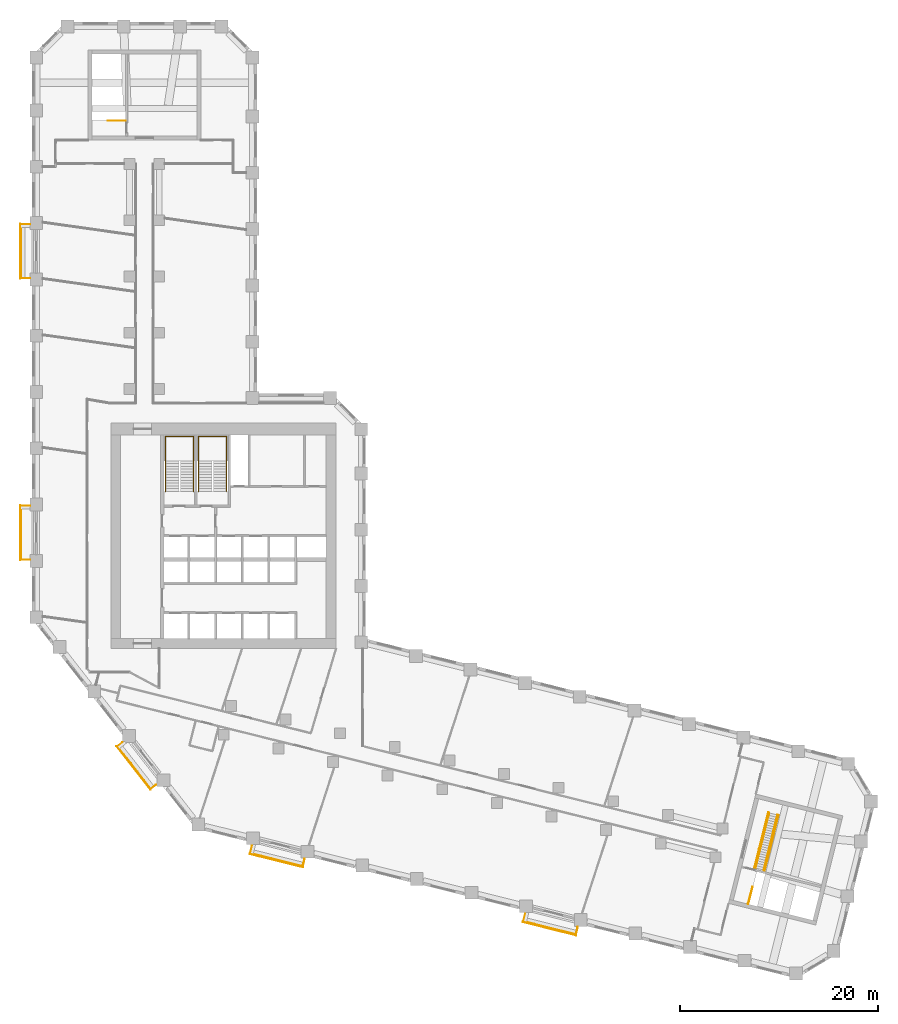
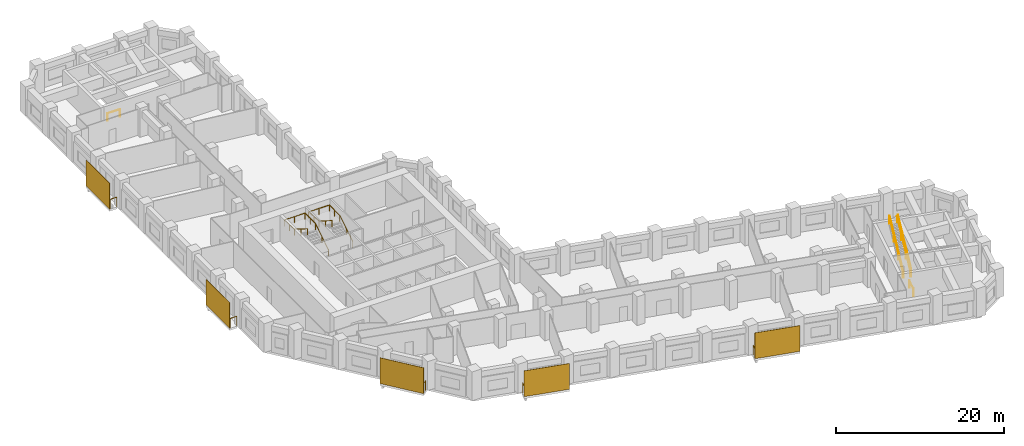
# One storey, part 11 of 11: 13 railings, 5 shading devices.
"""IFC4 building model written with IfcOpenShell, lengths in metres."""

from ifc_helpers import new_model, si_unit, direction, frame, origin, origin_2d, place, context, subcontext, project, spatial, rectangle, circle, extrude, material, layer, layer_set, type_object, element, save


model = new_model("IFC4")

# Units and contexts
model_context = context("Model", 3, precision=1e-05, world=origin(), true_north=direction((0.0, 1.0)))
body_context = subcontext(model_context, "Body", "Model", "MODEL_VIEW")
ifc_project = project(units=[si_unit("LENGTHUNIT", "METRE"), si_unit("AREAUNIT", "SQUARE_METRE"), si_unit("VOLUMEUNIT", "CUBIC_METRE"), si_unit("PLANEANGLEUNIT", "RADIAN"), si_unit("MASSUNIT", "GRAM", prefix="KILO")], contexts=[model_context])

# Site, building, storey
site_placement = place(None, origin())
site = spatial("IfcSite", under=ifc_project, at=site_placement, CompositionType="ELEMENT")
building_placement = place(site_placement, origin())
building = spatial("IfcBuilding", under=site, at=building_placement, Name="Meshkara Civic Tower", CompositionType="ELEMENT")
storey_placement = place(building_placement, frame((0.0, 0.0, 151.800048828125)))
storey = spatial("IfcBuildingStorey", under=building, at=storey_placement, Name="L34", CompositionType="ELEMENT", Elevation=151.800048828125)

# Railings
ifc_material_1 = material(Name="Steel S355", Category="steel")
railing_type_1 = type_object("IfcRailingType", Name="BALUSTRADE GUARD 1400", PredefinedType="BALUSTRADE", material=ifc_material_1)
for number, where, name in (
    (1, (-0.199951171875, 57.034912109375, 0.0), "Balcony guard"),
    (2, (-0.199951171875, 28.534912109375, 0.0), "Balcony guard"),
):
    element("IfcRailing", number, at=place(storey_placement, frame(where)), inside=storey, type_object=railing_type_1, Name=name, PredefinedType="BALUSTRADE", context=body_context, shape_type="SweptSolid", body=[
        extrude(circle(Radius=0.02392578125, at=origin_2d()), frame((0.0, 0.0, 1.3759765625), z_axis=(-1.0, 0.0, 0.0), x_axis=(0.0, -1.0, 0.0)), (0.0, 0.0, 1.0), 0.91015625),
        extrude(circle(Radius=0.02392578125, at=origin_2d()), frame((-0.91015625, 0.0, 1.3759765625), z_axis=(0.0, -1.0, 0.0), x_axis=(1.0, 0.0, 0.0)), (0.0, 0.0, 1.0), 5.4599609375),
        extrude(circle(Radius=0.02392578125, at=origin_2d()), frame((-0.91015625, -5.4599609375, 1.3759765625), z_axis=(1.0, 0.0, 0.0), x_axis=(0.0, 1.0, 0.0)), (0.0, 0.0, 1.0), 0.91015625),
        extrude(circle(Radius=0.02099609375, at=origin_2d()), origin(), (0.0, 0.0, 1.0), 1.351806640625),
        extrude(circle(Radius=0.02099609375, at=origin_2d()), frame((-0.91015625, 0.0, 0.0)), (0.0, 0.0, 1.0), 1.351806640625),
        extrude(circle(Radius=0.02099609375, at=origin_2d()), frame((-0.91015625, -1.092041015625, 0.0)), (0.0, 0.0, 1.0), 1.351806640625),
        extrude(circle(Radius=0.02099609375, at=origin_2d()), frame((-0.91015625, -2.18408203125, 0.0)), (0.0, 0.0, 1.0), 1.351806640625),
        extrude(circle(Radius=0.02099609375, at=origin_2d()), frame((-0.91015625, -3.27587890625, 0.0)), (0.0, 0.0, 1.0), 1.351806640625),
        extrude(circle(Radius=0.02099609375, at=origin_2d()), frame((-0.91015625, -4.367919921875, 0.0)), (0.0, 0.0, 1.0), 1.351806640625),
        extrude(circle(Radius=0.02099609375, at=origin_2d()), frame((-0.91015625, -5.4599609375, 0.0)), (0.0, 0.0, 1.0), 1.351806640625),
        extrude(circle(Radius=0.02099609375, at=origin_2d()), frame((0.0, -5.4599609375, 0.0)), (0.0, 0.0, 1.0), 1.351806640625),
    ])
railing_1_placement = place(storey_placement, frame((9.18798828125, 4.589111328125, 0.0)))
element("IfcRailing", 3, at=railing_1_placement, inside=storey, type_object=railing_type_1, Name="Balcony guard", PredefinedType="BALUSTRADE", context=body_context, shape_type="SweptSolid", body=[
    extrude(circle(Radius=0.02392578125, at=origin_2d()), frame((0.0, 0.0, 1.3759765625), z_axis=(-0.787481136241, -0.61633875431, 0.0), x_axis=(0.61633875431, -0.787481136241, 0.0)), (0.0, 0.0, 1.0), 0.647705078125),
    extrude(circle(Radius=0.02392578125, at=origin_2d()), frame((-0.510009765625, -0.399169921875, 1.3759765625), z_axis=(0.615660530481, -0.788011491799, 0.0), x_axis=(0.788011491799, 0.615660530481, 0.0)), (0.0, 0.0, 1.0), 5.459228515625),
    extrude(circle(Radius=0.02392578125, at=origin_2d()), frame((2.85107421875, -4.701171875, 1.3759765625), z_axis=(0.787481136241, 0.61633875431, 0.0), x_axis=(-0.61633875431, 0.787481136241, 0.0)), (0.0, 0.0, 1.0), 0.647705078125),
    extrude(circle(Radius=0.02099609375, at=origin_2d()), origin(), (0.0, 0.0, 1.0), 1.351806640625),
    extrude(circle(Radius=0.02099609375, at=origin_2d()), frame((-0.510009765625, -0.399169921875, 0.0)), (0.0, 0.0, 1.0), 1.351806640625),
    extrude(circle(Radius=0.02099609375, at=origin_2d()), frame((0.162109375, -1.259521484375, 0.0)), (0.0, 0.0, 1.0), 1.351806640625),
    extrude(circle(Radius=0.02099609375, at=origin_2d()), frame((0.83447265625, -2.119873046875, 0.0)), (0.0, 0.0, 1.0), 1.351806640625),
    extrude(circle(Radius=0.02099609375, at=origin_2d()), frame((1.506591796875, -2.98046875, 0.0)), (0.0, 0.0, 1.0), 1.351806640625),
    extrude(circle(Radius=0.02099609375, at=origin_2d()), frame((2.178955078125, -3.8408203125, 0.0)), (0.0, 0.0, 1.0), 1.351806640625),
    extrude(circle(Radius=0.02099609375, at=origin_2d()), frame((2.85107421875, -4.701171875, 0.0)), (0.0, 0.0, 1.0), 1.351806640625),
    extrude(circle(Radius=0.02099609375, at=origin_2d()), frame((3.361083984375, -4.302001953125, 0.0)), (0.0, 0.0, 1.0), 1.351806640625),
])
railing_2_placement = place(storey_placement, frame((22.30810546875, -5.909912109375, 0.0)))
element("IfcRailing", 4, at=railing_2_placement, inside=storey, type_object=railing_type_1, Name="Balcony guard", PredefinedType="BALUSTRADE", context=body_context, shape_type="SweptSolid", body=[
    extrude(circle(Radius=0.02392578125, at=origin_2d()), frame((0.0, 0.0, 1.3759765625), z_axis=(-0.242237978263, -0.970216863329, 0.0), x_axis=(0.970216863329, -0.242237978263, 0.0)), (0.0, 0.0, 1.0), 0.77197265625),
    extrude(circle(Radius=0.02392578125, at=origin_2d()), frame((-0.18701171875, -0.7490234375, 1.3759765625), z_axis=(0.970279141219, -0.24198840492, 0.0), x_axis=(0.24198840492, 0.970279141219, 0.0)), (0.0, 0.0, 1.0), 5.459228515625),
    extrude(circle(Radius=0.02392578125, at=origin_2d()), frame((5.10986328125, -2.070068359375, 1.3759765625), z_axis=(0.242237978263, 0.970216863329, 0.0), x_axis=(-0.970216863329, 0.242237978263, 0.0)), (0.0, 0.0, 1.0), 0.77197265625),
    extrude(circle(Radius=0.02099609375, at=origin_2d()), origin(), (0.0, 0.0, 1.0), 1.351806640625),
    extrude(circle(Radius=0.02099609375, at=origin_2d()), frame((-0.18701171875, -0.7490234375, 0.0)), (0.0, 0.0, 1.0), 1.351806640625),
    extrude(circle(Radius=0.02099609375, at=origin_2d()), frame((0.872314453125, -1.01318359375, 0.0)), (0.0, 0.0, 1.0), 1.351806640625),
    extrude(circle(Radius=0.02099609375, at=origin_2d()), frame((1.931640625, -1.27734375, 0.0)), (0.0, 0.0, 1.0), 1.351806640625),
    extrude(circle(Radius=0.02099609375, at=origin_2d()), frame((2.9912109375, -1.541748046875, 0.0)), (0.0, 0.0, 1.0), 1.351806640625),
    extrude(circle(Radius=0.02099609375, at=origin_2d()), frame((4.050537109375, -1.805908203125, 0.0)), (0.0, 0.0, 1.0), 1.351806640625),
    extrude(circle(Radius=0.02099609375, at=origin_2d()), frame((5.10986328125, -2.070068359375, 0.0)), (0.0, 0.0, 1.0), 1.351806640625),
    extrude(circle(Radius=0.02099609375, at=origin_2d()), frame((5.296875, -1.321044921875, 0.0)), (0.0, 0.0, 1.0), 1.351806640625),
])
railing_3_placement = place(storey_placement, frame((49.9609375, -12.804931640625, 0.0)))
element("IfcRailing", 5, at=railing_3_placement, inside=storey, type_object=railing_type_1, Name="Balcony guard", PredefinedType="BALUSTRADE", context=body_context, shape_type="SweptSolid", body=[
    extrude(circle(Radius=0.02392578125, at=origin_2d()), frame((0.0, 0.0, 1.3759765625), z_axis=(-0.242237978263, -0.970216863329, 0.0), x_axis=(0.970216863329, -0.242237978263, 0.0)), (0.0, 0.0, 1.0), 0.77197265625),
    extrude(circle(Radius=0.02392578125, at=origin_2d()), frame((-0.18701171875, -0.7490234375, 1.3759765625), z_axis=(0.970292231073, -0.24193591366, 0.0), x_axis=(0.24193591366, 0.970292231073, 0.0)), (0.0, 0.0, 1.0), 5.460205078125),
    extrude(circle(Radius=0.02392578125, at=origin_2d()), frame((5.111083984375, -2.070068359375, 1.3759765625), z_axis=(0.242237978263, 0.970216863329, 0.0), x_axis=(-0.970216863329, 0.242237978263, 0.0)), (0.0, 0.0, 1.0), 0.77197265625),
    extrude(circle(Radius=0.02099609375, at=origin_2d()), origin(), (0.0, 0.0, 1.0), 1.351806640625),
    extrude(circle(Radius=0.02099609375, at=origin_2d()), frame((-0.18701171875, -0.7490234375, 0.0)), (0.0, 0.0, 1.0), 1.351806640625),
    extrude(circle(Radius=0.02099609375, at=origin_2d()), frame((0.87255859375, -1.01318359375, 0.0)), (0.0, 0.0, 1.0), 1.351806640625),
    extrude(circle(Radius=0.02099609375, at=origin_2d()), frame((1.93212890625, -1.27734375, 0.0)), (0.0, 0.0, 1.0), 1.351806640625),
    extrude(circle(Radius=0.02099609375, at=origin_2d()), frame((2.991943359375, -1.541748046875, 0.0)), (0.0, 0.0, 1.0), 1.351806640625),
    extrude(circle(Radius=0.02099609375, at=origin_2d()), frame((4.051513671875, -1.805908203125, 0.0)), (0.0, 0.0, 1.0), 1.351806640625),
    extrude(circle(Radius=0.02099609375, at=origin_2d()), frame((5.111083984375, -2.070068359375, 0.0)), (0.0, 0.0, 1.0), 1.351806640625),
    extrude(circle(Radius=0.02099609375, at=origin_2d()), frame((5.298095703125, -1.321044921875, 0.0)), (0.0, 0.0, 1.0), 1.351806640625),
])

# Shading devices
ifc_material_2 = material(Name="Perforated bronze anodised aluminium sheet", Category="aluminium")
ifc_layer = layer(ifc_material_2, 0.0400390625)
ifc_layer_set = layer_set([ifc_layer], Name="PERFORATED BRONZE SCREEN")
shading_device_type = type_object("IfcShadingDeviceType", Name="PERFORATED BRONZE SCREEN", PredefinedType="USERDEFINED", material=ifc_layer_set)
for number, where, z_axis, x_axis, name in (
    (6, (-1.179931640625, 54.304931640625, 0.0), (0.0, 0.0, 1.0), (0.0, -1.0, 0.0), "Balcony screen"),
    (7, (-1.179931640625, 25.804931640625, 0.0), (0.0, 0.0, 1.0), (0.0, -1.0, 0.0), "Balcony screen"),
):
    element("IfcShadingDevice", number, at=place(storey_placement, frame(where, z_axis=z_axis, x_axis=x_axis)), inside=storey, type_object=shading_device_type, Name=name, ObjectType="SCREEN", PredefinedType="USERDEFINED", context=body_context, shape_type="SweptSolid", body=[
        extrude(rectangle(XDim=5.580078125, YDim=0.0400390625, at=origin_2d()), origin(), (0.0, 0.0, 1.0), 3.75),
    ])
for number, where, z_axis, x_axis, name in (
    (8, (10.302978515625, 1.99609375, 0.0), (0.0, 0.0, 1.0), (0.615661475326, -0.788010753607, 0.0), "Balcony screen"),
    (9, (24.7529296875, -7.387939453125, 0.0), (0.0, 0.0, 1.0), (0.970299948462, -0.241904960708, 0.0), "Balcony screen"),
):
    element("IfcShadingDevice", number, at=place(storey_placement, frame(where, z_axis=z_axis, x_axis=x_axis)), inside=storey, type_object=shading_device_type, Name=name, ObjectType="SCREEN", PredefinedType="USERDEFINED", context=body_context, shape_type="SweptSolid", body=[
        extrude(rectangle(XDim=5.5791015625, YDim=0.0400390625, at=origin_2d()), origin(), (0.0, 0.0, 1.0), 3.75),
    ])
shading_device_placement = place(storey_placement, frame((52.406005859375, -14.281982421875, 0.0), z_axis=(0.0, 0.0, 1.0), x_axis=(0.970299948462, -0.241904960708, 0.0)))
element("IfcShadingDevice", 10, at=shading_device_placement, inside=storey, type_object=shading_device_type, Name="Balcony screen", ObjectType="SCREEN", PredefinedType="USERDEFINED", context=body_context, shape_type="SweptSolid", body=[
    extrude(rectangle(XDim=5.580078125, YDim=0.0400390625, at=origin_2d()), origin(), (0.0, 0.0, 1.0), 3.75),
])

# Railings
ifc_material_3 = material(Name="Steel guard", Category="steel")
railing_type_2 = type_object("IfcRailingType", Name="Stair guard 1100", PredefinedType="GUARDRAIL", material=ifc_material_3)
railing_4_placement = place(storey_placement, frame((9.47509765625, 67.52001953125, 0.0)))
element("IfcRailing", 11, at=railing_4_placement, inside=storey, type_object=railing_type_2, Name="L34 ESA2 top well guard 1", PredefinedType="GUARDRAIL", context=body_context, shape_type="SweptSolid", body=[
    extrude(circle(Radius=0.02392578125, at=origin_2d()), frame((0.0, 0.0, 1.076171875), z_axis=(-1.0, 0.0, 0.0), x_axis=(0.0, -1.0, 0.0)), (0.0, 0.0, 1.0), 1.75),
    extrude(circle(Radius=0.02099609375, at=origin_2d()), origin(), (0.0, 0.0, 1.0), 1.052001953125),
    extrude(circle(Radius=0.02099609375, at=origin_2d()), frame((-1.75, 0.0, 0.0)), (0.0, 0.0, 1.0), 1.052001953125),
])
railing_5_placement = place(storey_placement, frame((72.5263671875, -11.7705078125, 0.0)))
element("IfcRailing", 12, at=railing_5_placement, inside=storey, type_object=railing_type_2, Name="L34 ESB2 top well guard 1", PredefinedType="GUARDRAIL", context=body_context, shape_type="SweptSolid", body=[
    extrude(circle(Radius=0.02392578125, at=origin_2d()), frame((0.0, 0.0, 1.076171875), z_axis=(0.242043219053, 0.970265468885, 0.0), x_axis=(-0.970265468885, 0.242043219053, 0.0)), (0.0, 0.0, 1.0), 1.75),
    extrude(circle(Radius=0.02099609375, at=origin_2d()), origin(), (0.0, 0.0, 1.0), 1.052001953125),
    extrude(circle(Radius=0.02099609375, at=origin_2d()), frame((0.423583984375, 1.697998046875, 0.0)), (0.0, 0.0, 1.0), 1.052001953125),
])
railing_6_placement = place(storey_placement, frame((73.1708984375, -8.113037109375, 0.175048828125)))
element("IfcRailing", 13, at=railing_6_placement, inside=storey, type_object=railing_type_2, Name="L34 ESBT stair guard 3", PredefinedType="GUARDRAIL", context=body_context, shape_type="SweptSolid", body=[
    extrude(circle(Radius=0.02392578125, at=origin_2d()), frame((0.0, 0.0, 1.076171875), z_axis=(0.198180558862, 0.794948201712, 0.573394997087), x_axis=(-0.970302111967, 0.241896282551, 0.0)), (0.0, 0.0, 1.0), 7.01953125),
    extrude(circle(Radius=0.02099609375, at=origin_2d()), origin(), (0.0, 0.0, 1.0), 1.052001953125),
    extrude(circle(Radius=0.02099609375, at=origin_2d()), frame((0.463623046875, 1.860107421875, 1.341552734375)), (0.0, 0.0, 1.0), 1.052001953125),
    extrude(circle(Radius=0.02099609375, at=origin_2d()), frame((0.927490234375, 3.719970703125, 2.683349609375)), (0.0, 0.0, 1.0), 1.052001953125),
    extrude(circle(Radius=0.02099609375, at=origin_2d()), frame((1.39111328125, 5.580078125, 4.02490234375)), (0.0, 0.0, 1.0), 1.052001953125),
])
railing_7_placement = place(storey_placement, frame((74.198974609375, -8.368896484375, 0.175048828125)))
element("IfcRailing", 14, at=railing_7_placement, inside=storey, type_object=railing_type_2, Name="L34 ESBT stair guard 4", PredefinedType="GUARDRAIL", context=body_context, shape_type="SweptSolid", body=[
    extrude(circle(Radius=0.02392578125, at=origin_2d()), frame((0.0, 0.0, 1.076171875), z_axis=(0.198207958892, 0.794884181932, 0.573474273482), x_axis=(-0.970289687742, 0.241946113551, 0.0)), (0.0, 0.0, 1.0), 7.0185546875),
    extrude(circle(Radius=0.02099609375, at=origin_2d()), origin(), (0.0, 0.0, 1.0), 1.052001953125),
    extrude(circle(Radius=0.02099609375, at=origin_2d()), frame((0.463623046875, 1.859619140625, 1.341552734375)), (0.0, 0.0, 1.0), 1.052001953125),
    extrude(circle(Radius=0.02099609375, at=origin_2d()), frame((0.927490234375, 3.71923828125, 2.683349609375)), (0.0, 0.0, 1.0), 1.052001953125),
    extrude(circle(Radius=0.02099609375, at=origin_2d()), frame((1.39111328125, 5.578857421875, 4.02490234375)), (0.0, 0.0, 1.0), 1.052001953125),
])
ifc_material_4 = material(Name="Steel handrail", Category="steel")
railing_type_3 = type_object("IfcRailingType", Name="Stair handrail 900", PredefinedType="HANDRAIL", material=ifc_material_4)
railing_8_placement = place(storey_placement, frame((16.375, 30.0, 0.175048828125)))
element("IfcRailing", 15, at=railing_8_placement, inside=storey, type_object=railing_type_3, Name="L34 ST1 stair handrail 1", PredefinedType="HANDRAIL", context=body_context, shape_type="SweptSolid", body=[
    extrude(circle(Radius=0.02392578125, at=origin_2d()), frame((0.0, 0.0, 0.8759765625), z_axis=(0.0, 0.848028513186, 0.529950602248), x_axis=(-1.0, 0.0, 0.0)), (0.0, 0.0, 1.0), 3.632080078125),
    extrude(circle(Radius=0.02392578125, at=origin_2d()), frame((0.0, 3.080078125, 2.80078125), z_axis=(0.0, 1.0, 0.0), x_axis=(-1.0, 0.0, 0.0)), (0.0, 0.0, 1.0), 2.469970703125),
    extrude(circle(Radius=0.02392578125, at=origin_2d()), frame((0.0, 5.550048828125, 2.80078125), z_axis=(-1.0, 0.0, 0.0), x_axis=(0.0, -1.0, 0.0)), (0.0, 0.0, 1.0), 2.85009765625),
    extrude(circle(Radius=0.02392578125, at=origin_2d()), frame((-2.85009765625, 5.550048828125, 2.80078125), z_axis=(0.0, -0.997498084828, 0.070693498747), x_axis=(1.0, 0.0, 0.0)), (0.0, 0.0, 1.0), 2.47607421875),
    extrude(circle(Radius=0.02392578125, at=origin_2d()), frame((-2.85009765625, 3.080078125, 2.9755859375), z_axis=(0.0, -0.847998304005, 0.529998940003), x_axis=(1.0, 0.0, 0.0)), (0.0, 0.0, 1.0), 3.632080078125),
    extrude(circle(Radius=0.02099609375, at=origin_2d()), origin(), (0.0, 0.0, 1.0), 0.851806640625),
    extrude(circle(Radius=0.02099609375, at=origin_2d()), frame((0.0, 1.5400390625, 0.96240234375)), (0.0, 0.0, 1.0), 0.851806640625),
    extrude(circle(Radius=0.02099609375, at=origin_2d()), frame((0.0, 3.080078125, 1.9248046875)), (0.0, 0.0, 1.0), 0.851806640625),
    extrude(circle(Radius=0.02099609375, at=origin_2d()), frame((0.0, 4.31494140625, 1.9248046875)), (0.0, 0.0, 1.0), 0.851806640625),
    extrude(circle(Radius=0.02099609375, at=origin_2d()), frame((0.0, 5.550048828125, 1.9248046875)), (0.0, 0.0, 1.0), 0.851806640625),
    extrude(circle(Radius=0.02099609375, at=origin_2d()), frame((-1.425048828125, 5.550048828125, 1.9248046875)), (0.0, 0.0, 1.0), 0.851806640625),
    extrude(circle(Radius=0.02099609375, at=origin_2d()), frame((-2.85009765625, 5.550048828125, 1.9248046875)), (0.0, 0.0, 1.0), 0.851806640625),
    extrude(circle(Radius=0.02099609375, at=origin_2d()), frame((-2.85009765625, 4.31494140625, 2.01220703125)), (0.0, 0.0, 1.0), 0.851806640625),
    extrude(circle(Radius=0.02099609375, at=origin_2d()), frame((-2.85009765625, 3.080078125, 2.099853515625)), (0.0, 0.0, 1.0), 0.851806640625),
    extrude(circle(Radius=0.02099609375, at=origin_2d()), frame((-2.85009765625, 1.5400390625, 3.0625)), (0.0, 0.0, 1.0), 0.851806640625),
    extrude(circle(Radius=0.02099609375, at=origin_2d()), frame((-2.85009765625, 0.0, 4.02490234375)), (0.0, 0.0, 1.0), 0.851806640625),
])
railing_9_placement = place(storey_placement, frame((19.72509765625, 30.0, 0.175048828125)))
element("IfcRailing", 16, at=railing_9_placement, inside=storey, type_object=railing_type_3, Name="L34 ST2 stair handrail 1", PredefinedType="HANDRAIL", context=body_context, shape_type="SweptSolid", body=[
    extrude(circle(Radius=0.02392578125, at=origin_2d()), frame((0.0, 0.0, 0.8759765625), z_axis=(0.0, 0.848028513186, 0.529950602248), x_axis=(-1.0, 0.0, 0.0)), (0.0, 0.0, 1.0), 3.632080078125),
    extrude(circle(Radius=0.02392578125, at=origin_2d()), frame((0.0, 3.080078125, 2.80078125), z_axis=(0.0, 1.0, 0.0), x_axis=(-1.0, 0.0, 0.0)), (0.0, 0.0, 1.0), 2.469970703125),
    extrude(circle(Radius=0.02392578125, at=origin_2d()), frame((0.0, 5.550048828125, 2.80078125), z_axis=(-1.0, 0.0, 0.0), x_axis=(0.0, -1.0, 0.0)), (0.0, 0.0, 1.0), 2.85009765625),
    extrude(circle(Radius=0.02392578125, at=origin_2d()), frame((-2.85009765625, 5.550048828125, 2.80078125), z_axis=(0.0, -0.997498084828, 0.070693498747), x_axis=(1.0, 0.0, 0.0)), (0.0, 0.0, 1.0), 2.47607421875),
    extrude(circle(Radius=0.02392578125, at=origin_2d()), frame((-2.85009765625, 3.080078125, 2.9755859375), z_axis=(0.0, -0.847998304005, 0.529998940003), x_axis=(1.0, 0.0, 0.0)), (0.0, 0.0, 1.0), 3.632080078125),
    extrude(circle(Radius=0.02099609375, at=origin_2d()), origin(), (0.0, 0.0, 1.0), 0.851806640625),
    extrude(circle(Radius=0.02099609375, at=origin_2d()), frame((0.0, 1.5400390625, 0.96240234375)), (0.0, 0.0, 1.0), 0.851806640625),
    extrude(circle(Radius=0.02099609375, at=origin_2d()), frame((0.0, 3.080078125, 1.9248046875)), (0.0, 0.0, 1.0), 0.851806640625),
    extrude(circle(Radius=0.02099609375, at=origin_2d()), frame((0.0, 4.31494140625, 1.9248046875)), (0.0, 0.0, 1.0), 0.851806640625),
    extrude(circle(Radius=0.02099609375, at=origin_2d()), frame((0.0, 5.550048828125, 1.9248046875)), (0.0, 0.0, 1.0), 0.851806640625),
    extrude(circle(Radius=0.02099609375, at=origin_2d()), frame((-1.425048828125, 5.550048828125, 1.9248046875)), (0.0, 0.0, 1.0), 0.851806640625),
    extrude(circle(Radius=0.02099609375, at=origin_2d()), frame((-2.85009765625, 5.550048828125, 1.9248046875)), (0.0, 0.0, 1.0), 0.851806640625),
    extrude(circle(Radius=0.02099609375, at=origin_2d()), frame((-2.85009765625, 4.31494140625, 2.01220703125)), (0.0, 0.0, 1.0), 0.851806640625),
    extrude(circle(Radius=0.02099609375, at=origin_2d()), frame((-2.85009765625, 3.080078125, 2.099853515625)), (0.0, 0.0, 1.0), 0.851806640625),
    extrude(circle(Radius=0.02099609375, at=origin_2d()), frame((-2.85009765625, 1.5400390625, 3.0625)), (0.0, 0.0, 1.0), 0.851806640625),
    extrude(circle(Radius=0.02099609375, at=origin_2d()), frame((-2.85009765625, 0.0, 4.02490234375)), (0.0, 0.0, 1.0), 0.851806640625),
])
railing_10_placement = place(storey_placement, frame((73.262939453125, -8.135986328125, 0.175048828125)))
element("IfcRailing", 17, at=railing_10_placement, inside=storey, type_object=railing_type_3, Name="L34 ESBT stair handrail 1", PredefinedType="HANDRAIL", context=body_context, shape_type="SweptSolid", body=[
    extrude(circle(Radius=0.02392578125, at=origin_2d()), frame((0.0, 0.0, 0.8759765625), z_axis=(0.198180558862, 0.794948201712, 0.573394997087), x_axis=(-0.970302111967, 0.241896282551, 0.0)), (0.0, 0.0, 1.0), 7.01953125),
    extrude(circle(Radius=0.02099609375, at=origin_2d()), origin(), (0.0, 0.0, 1.0), 0.851806640625),
    extrude(circle(Radius=0.02099609375, at=origin_2d()), frame((0.463623046875, 1.860107421875, 1.341552734375)), (0.0, 0.0, 1.0), 0.851806640625),
    extrude(circle(Radius=0.02099609375, at=origin_2d()), frame((0.927490234375, 3.719970703125, 2.683349609375)), (0.0, 0.0, 1.0), 0.851806640625),
    extrude(circle(Radius=0.02099609375, at=origin_2d()), frame((1.39111328125, 5.580078125, 4.02490234375)), (0.0, 0.0, 1.0), 0.851806640625),
])
railing_11_placement = place(storey_placement, frame((74.10693359375, -8.345947265625, 0.175048828125)))
element("IfcRailing", 18, at=railing_11_placement, inside=storey, type_object=railing_type_3, Name="L34 ESBT stair handrail 2", PredefinedType="HANDRAIL", context=body_context, shape_type="SweptSolid", body=[
    extrude(circle(Radius=0.02392578125, at=origin_2d()), frame((0.0, 0.0, 0.8759765625), z_axis=(0.198207958892, 0.794884181932, 0.573474273482), x_axis=(-0.970289687742, 0.241946113551, 0.0)), (0.0, 0.0, 1.0), 7.0185546875),
    extrude(circle(Radius=0.02099609375, at=origin_2d()), origin(), (0.0, 0.0, 1.0), 0.851806640625),
    extrude(circle(Radius=0.02099609375, at=origin_2d()), frame((0.463623046875, 1.859619140625, 1.341552734375)), (0.0, 0.0, 1.0), 0.851806640625),
    extrude(circle(Radius=0.02099609375, at=origin_2d()), frame((0.927490234375, 3.71923828125, 2.683349609375)), (0.0, 0.0, 1.0), 0.851806640625),
    extrude(circle(Radius=0.02099609375, at=origin_2d()), frame((1.39111328125, 5.578857421875, 4.02490234375)), (0.0, 0.0, 1.0), 0.851806640625),
])

save(model, "model.ifc")
